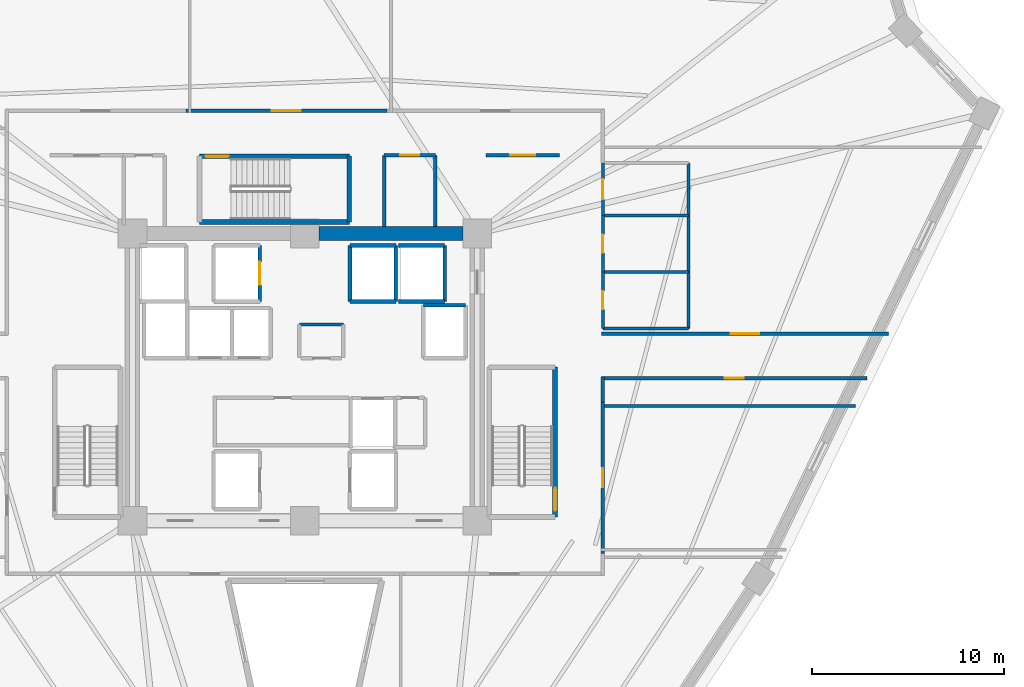
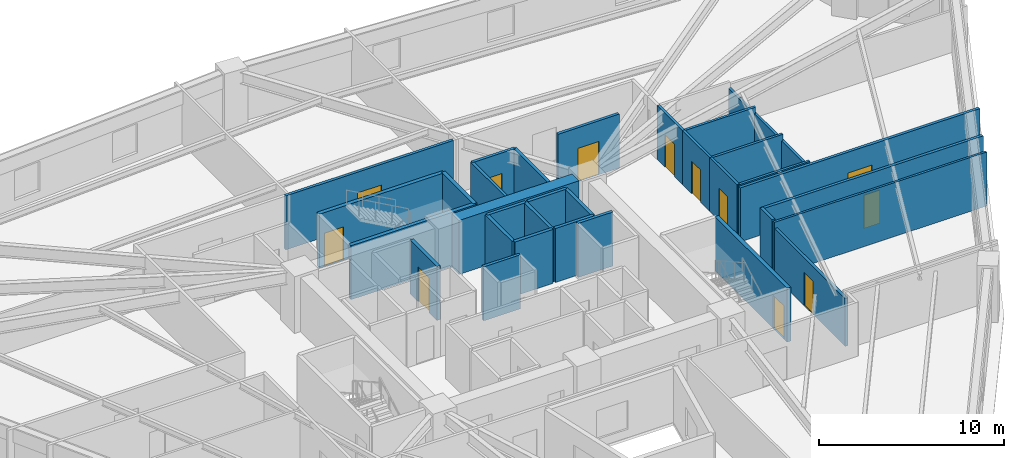
# One storey, part 6 of 8: 32 walls, 12 doors, 12 openings.
"""IFC4 building model written with IfcOpenShell, lengths in metres."""

import ifcopenshell
import ifcopenshell.guid

model = None  # the IFC model being written
_history = None  # IfcOwnerHistory: only IFC2X3 demands one
_inside = {}  # id of a spatial element -> (the spatial element, [elements in it])
_under = {}  # id of a project, library or spatial element -> (it, [spatial elements below it])
_declared = {}  # id of a project -> (the project, [libraries it declares])
_typed = {}  # id of a type object -> (the type object, [elements of that type])
_made_of = {}  # id of a material, layer set ... -> (it, [elements and type objects made of it])


def new_model(schema):
    """Start an empty IFC model of exactly this schema.

    Asked for "IFC4X3", IfcOpenShell would pick the latest addendum, in which some entities
    have other attributes; the version numbers below select the first issue.
    IFC2X3 requires an IfcOwnerHistory on every rooted entity: one is made here for all.
    """
    global model, _history
    if schema == "IFC4X3":
        model = ifcopenshell.file(schema_version=(4, 3, 0, 0))
    else:
        model = ifcopenshell.file(schema=schema)
    _inside.clear()
    _under.clear()
    _declared.clear()
    _typed.clear()
    _made_of.clear()
    _history = None
    if model.schema == "IFC2X3":
        org = make("IfcOrganization", Name="unknown")
        user = make(
            "IfcPersonAndOrganization",
            ThePerson=make("IfcPerson", FamilyName="unknown"),
            TheOrganization=org,
        )
        app = make(
            "IfcApplication",
            ApplicationDeveloper=org,
            Version="unknown",
            ApplicationFullName="unknown",
            ApplicationIdentifier="unknown",
        )
        _history = make(
            "IfcOwnerHistory",
            OwningUser=user,
            OwningApplication=app,
            ChangeAction="ADDED",
            CreationDate=0,
        )
    return model


def make(cls, **values):
    """One entity of the class cls with the attributes given. An attribute that is None is left unset."""
    return model.create_entity(
        cls, **{name: value for name, value in values.items() if value is not None}
    )


def rooted(cls, **values):
    """An entity with a GlobalId (a new one), such as an element, a storey or a relation."""
    return make(cls, GlobalId=ifcopenshell.guid.new(), OwnerHistory=_history, **values)


def si_unit(unit_type, name, prefix=None):
    """IfcSIUnit, for example si_unit("LENGTHUNIT", "METRE", prefix="MILLI")."""
    return make("IfcSIUnit", UnitType=unit_type, Prefix=prefix, Name=name)


def assignment(units):
    """IfcUnitAssignment: the units of a project."""
    return None if units is None else make("IfcUnitAssignment", Units=units)


def point(xyz):
    """IfcCartesianPoint."""
    return None if xyz is None else make("IfcCartesianPoint", Coordinates=xyz)


def direction(xyz):
    """IfcDirection."""
    return None if xyz is None else make("IfcDirection", DirectionRatios=xyz)


def frame(location, z_axis=None, x_axis=None):
    """IfcAxis2Placement3D, a coordinate frame: its origin and axes. An axis left out is left unset."""
    return make(
        "IfcAxis2Placement3D",
        Location=point(location),
        Axis=direction(z_axis),
        RefDirection=direction(x_axis),
    )


def frame_2d(location, x_axis=None):
    """IfcAxis2Placement2D, a coordinate frame in the plane: its origin and x axis."""
    return make(
        "IfcAxis2Placement2D", Location=point(location), RefDirection=direction(x_axis)
    )


def origin():
    """The frame at (0, 0, 0) with its axes left unset."""
    return frame((0.0, 0.0, 0.0))


def place(relative_to, where):
    """IfcLocalPlacement: puts the frame where relative to a parent placement (None: the world)."""
    return make(
        "IfcLocalPlacement", PlacementRelTo=relative_to, RelativePlacement=where
    )


def context(
    kind, dimensions, precision=None, world=None, true_north=None, identifier=None
):
    """IfcGeometricRepresentationContext, for example the 3D "Model" context."""
    return make(
        "IfcGeometricRepresentationContext",
        ContextIdentifier=identifier,
        ContextType=kind,
        CoordinateSpaceDimension=dimensions,
        Precision=precision,
        WorldCoordinateSystem=world,
        TrueNorth=true_north,
    )


def subcontext(parent, identifier, kind, view, scale=None):
    """IfcGeometricRepresentationSubContext, for example "Body" below "Model"."""
    return make(
        "IfcGeometricRepresentationSubContext",
        ContextIdentifier=identifier,
        ContextType=kind,
        ParentContext=parent,
        TargetScale=scale,
        TargetView=view,
    )


def project(units=None, contexts=None):
    """IfcProject with its units and contexts."""
    return rooted(
        "IfcProject",
        Name="project",
        RepresentationContexts=contexts,
        UnitsInContext=assignment(units),
    )


def spatial(cls, under=None, at=None, **own):
    """A site, building, storey or space (cls), placed at a placement, below another one or the project."""
    s = rooted(cls, ObjectPlacement=at, **own)
    if under is not None:
        _under.setdefault(under.id(), (under, []))[1].append(s)
    return s


def profile(cls, at=None, kind="AREA", **sizes):
    """A parametric profile (cls). Its sizes go by their IFC names, for example OverallWidth=200.0."""
    return make(cls, ProfileType=kind, Position=at, **sizes)


def rectangle(**sizes):
    """IfcRectangleProfileDef."""
    return profile("IfcRectangleProfileDef", **sizes)


def extrude(swept, where, along, depth):
    """IfcExtrudedAreaSolid: the profile swept, set in the frame where, extruded along a direction by depth."""
    return make(
        "IfcExtrudedAreaSolid",
        SweptArea=swept,
        Position=where,
        ExtrudedDirection=direction(along),
        Depth=depth,
    )


def shape(context_of_items, identifier, shape_type, items):
    """IfcShapeRepresentation: the items that make up one representation, for example the "Body"."""
    return make(
        "IfcShapeRepresentation",
        ContextOfItems=context_of_items,
        RepresentationIdentifier=identifier,
        RepresentationType=shape_type,
        Items=items,
    )


def source(mapping_origin, context_of_items, identifier, shape_type, items):
    """IfcRepresentationMap: a shape defined once, which mapped items show again and again."""
    return make(
        "IfcRepresentationMap",
        MappingOrigin=mapping_origin,
        MappedRepresentation=shape(context_of_items, identifier, shape_type, items),
    )


def transform(
    local_origin,
    x_axis=None,
    y_axis=None,
    z_axis=None,
    scale=None,
    scale2=None,
    scale3=None,
    uniform=True,
):
    """IfcCartesianTransformationOperator3D, or its non-uniform kind. x_axis, y_axis, z_axis: its Axis1, 2, 3."""
    if uniform:
        return make(
            "IfcCartesianTransformationOperator3D",
            Axis1=direction(x_axis),
            Axis2=direction(y_axis),
            LocalOrigin=point(local_origin),
            Scale=scale,
            Axis3=direction(z_axis),
        )
    return make(
        "IfcCartesianTransformationOperator3DnonUniform",
        Axis1=direction(x_axis),
        Axis2=direction(y_axis),
        LocalOrigin=point(local_origin),
        Scale=scale,
        Axis3=direction(z_axis),
        Scale2=scale2,
        Scale3=scale3,
    )


def mapped(mapping_source, mapping_target):
    """IfcMappedItem: shows the shape of a source again, moved by a transform."""
    return make(
        "IfcMappedItem", MappingSource=mapping_source, MappingTarget=mapping_target
    )


def material(Name=None, Category=None):
    """IfcMaterial."""
    return make("IfcMaterial", Name=Name, Category=Category)


def layer(
    of_material, thickness, ventilated=None, Name=None, Category=None, Priority=None
):
    """IfcMaterialLayer: one layer of a wall or slab, of a material (None: an air gap)."""
    return make(
        "IfcMaterialLayer",
        Material=of_material,
        LayerThickness=thickness,
        IsVentilated=ventilated,
        Name=Name,
        Category=Category,
        Priority=Priority,
    )


def layer_set(layers, Name=None):
    """IfcMaterialLayerSet."""
    return make("IfcMaterialLayerSet", MaterialLayers=layers, LayerSetName=Name)


def made_of(thing, what):
    """Note that an element or type object is made of a material, layer set ...; save() writes the relation."""
    if what is not None:
        _made_of.setdefault(what.id(), (what, []))[1].append(thing)
    return thing


def type_object(cls, material=None, **own):
    """A type object (cls), such as IfcWallType, which elements share."""
    return made_of(rooted(cls, **own), material)


def element(
    cls,
    number,
    at=None,
    inside=None,
    cuts=None,
    type_object=None,
    material=None,
    context=None,
    identifier="Body",
    shape_type=None,
    held_by="IfcProductDefinitionShape",
    body=None,
    shapes=None,
    **own,
):
    """One element of the class cls, such as IfcWall. Its Tag is "e" and its number.

    at: its placement. inside: the storey or other place that contains it. cuts: it is an
    opening in that element (IfcRelVoidsElement). A single representation is given by context,
    identifier, shape_type and body (its items); several are given by shapes. held_by: the class
    of the entity that holds the representations. save() writes the other relations.
    """
    e = rooted(cls, Tag="e%d" % number, ObjectPlacement=at, **own)
    if body is not None:
        shapes = [shape(context, identifier, shape_type, body)]
    if shapes is not None:
        e.Representation = make(held_by, Representations=shapes)
    if inside is not None:
        _inside.setdefault(inside.id(), (inside, []))[1].append(e)
    if cuts is not None:
        rooted(
            "IfcRelVoidsElement", RelatingBuildingElement=cuts, RelatedOpeningElement=e
        )
    if type_object is not None:
        _typed.setdefault(type_object.id(), (type_object, []))[1].append(e)
    return made_of(e, material)


def fill(opening, filler):
    """IfcRelFillsElement: the door or window that sits in an opening."""
    return rooted(
        "IfcRelFillsElement",
        RelatingOpeningElement=opening,
        RelatedBuildingElement=filler,
    )


def aggregate(whole, parts):
    """IfcRelAggregates: a whole, such as a stair, and the parts it consists of."""
    return rooted("IfcRelAggregates", RelatingObject=whole, RelatedObjects=parts)


def save(model, path):
    """Write the relations noted so far, then the file.

    IfcRelAggregates (storeys below a building ...), IfcRelContainedInSpatialStructure (elements
    in a storey), IfcRelDefinesByType, IfcRelAssociatesMaterial and IfcRelDeclares: one each for
    every whole, place, type object, material and project.
    """
    for whole, parts in _under.values():
        aggregate(whole, parts)
    for where, things in _inside.values():
        rooted(
            "IfcRelContainedInSpatialStructure",
            RelatedElements=things,
            RelatingStructure=where,
        )
    for kind, things in _typed.values():
        rooted("IfcRelDefinesByType", RelatedObjects=things, RelatingType=kind)
    for what, things in _made_of.values():
        rooted("IfcRelAssociatesMaterial", RelatedObjects=things, RelatingMaterial=what)
    for by, libraries in _declared.values():
        rooted("IfcRelDeclares", RelatingContext=by, RelatedDefinitions=libraries)
    model.write(path)


model = new_model("IFC4")

# Units and contexts
model_context = context("Model", 3, precision=1e-05, world=origin(), true_north=direction((0.0, 1.0)))
body_context = subcontext(model_context, "Body", "Model", "MODEL_VIEW")
ifc_project = project(units=[si_unit("LENGTHUNIT", "METRE"), si_unit("AREAUNIT", "SQUARE_METRE"), si_unit("VOLUMEUNIT", "CUBIC_METRE"), si_unit("PLANEANGLEUNIT", "RADIAN"), si_unit("MASSUNIT", "GRAM", prefix="KILO")], contexts=[model_context])

# Site, building, storey
site_placement = place(None, origin())
site = spatial("IfcSite", under=ifc_project, at=site_placement, CompositionType="ELEMENT")
building_placement = place(site_placement, origin())
building = spatial("IfcBuilding", under=site, at=building_placement, Name="Liaohun Quay Tower", CompositionType="ELEMENT")
storey_placement = place(building_placement, frame((0.0, 0.0, 147.75)))
storey = spatial("IfcBuildingStorey", under=building, at=storey_placement, Name="L38", CompositionType="ELEMENT", Elevation=147.75)

# Wall
ifc_material_1 = material(Name="Concrete C60", Category="concrete")
ifc_layer_1 = layer(ifc_material_1, 0.75, Name="Concrete C60", Category="concrete")
ifc_layer_set_1 = layer_set([ifc_layer_1], Name="Concrete C60")
wall_type_1 = type_object("IfcWallType", Name="WAL-COR-Z2", PredefinedType="SHEAR", material=ifc_layer_set_1)
wall_1_placement = place(storey_placement, frame((60.75, 61.5, 0.0), z_axis=(0.0, 0.0, 1.0), x_axis=(1.0, 0.0, 0.0)))
element("IfcWall", 1, at=wall_1_placement, inside=storey, type_object=wall_type_1, Name="L38 Central Core Shear Wall N-E", PredefinedType="SHEAR", context=body_context, shape_type="SweptSolid", body=[
    extrude(rectangle(XDim=7.5, YDim=0.75, at=frame_2d((3.75, 0.0))), origin(), (0.0, 0.0, 1.0), 3.570068359375),
])

# Wall, opening, door
ifc_material_2 = material(Name="Autoclaved aerated concrete blockwork", Category="masonry")
ifc_layer_2 = layer(ifc_material_2, 0.179931640625, Name="Autoclaved aerated concrete blockwork", Category="masonry")
ifc_layer_set_2 = layer_set([ifc_layer_2], Name="Autoclaved aerated concrete blockwork")
wall_type_2 = type_object("IfcWallType", Name="WAL-PRT-COR", PredefinedType="PARTITIONING", material=ifc_layer_set_2)
wall_2_placement = place(storey_placement, frame((64.139892578125, 65.580078125, 0.0), z_axis=(0.0, 0.0, 1.0), x_axis=(1.0, 0.0, 0.0)))
wall_2 = element("IfcWall", 2, at=wall_2_placement, inside=storey, type_object=wall_type_2, Name="L38 Interior Partition Wall 008", PredefinedType="PARTITIONING", context=body_context, shape_type="SweptSolid", body=[
    extrude(rectangle(XDim=2.670166015625, YDim=0.179931640625, at=frame_2d((1.3349609375, 0.0))), origin(), (0.0, 0.0, 1.0), 3.570068359375),
])
shared_shape_1 = source(origin(), body_context, "Body", "SweptSolid", [
    extrude(rectangle(XDim=1.0, YDim=2.199951171875, at=frame_2d((0.5, 1.10009765625))), frame((0.0, 0.099853515625, 0.0), z_axis=(0.0, -1.0, 0.0), x_axis=(1.0, 0.0, 0.0)), (0.0, 0.0, 1.0), 0.199951171875),
])
opening_1_placement = place(wall_2_placement, frame((0.8349609375, 0.0, 0.0)))
opening_1 = element("IfcOpeningElement", 3, at=opening_1_placement, cuts=wall_2, Name="Opening OD1", PredefinedType="OPENING", context=body_context, shape_type="MappedRepresentation", body=[
    mapped(shared_shape_1, transform((0.0, 0.0, 0.0), x_axis=(1.0, 0.0, 0.0), y_axis=(0.0, 1.0, 0.0), z_axis=(0.0, 0.0, 1.0), scale=1.0)),
])
ifc_material_3 = material(Name="Solid-core oak veneer timber leaf in steel frame", Category="steel")
door_type_1 = type_object("IfcDoorType", Name="DOR-OFF-1000", OperationType="NOTDEFINED", PredefinedType="DOOR", material=ifc_material_3)
shared_shape_2 = source(origin(), body_context, "Body", "SweptSolid", [
    extrude(rectangle(XDim=1.0, YDim=2.199951171875, at=frame_2d((0.5, 1.10009765625))), frame((0.0, 0.02490234375, 0.0), z_axis=(0.0, -1.0, 0.0), x_axis=(1.0, 0.0, 0.0)), (0.0, 0.0, 1.0), 0.050048828125),
])
door_1_placement = place(opening_1_placement, origin())
door_1 = element("IfcDoor", 4, at=door_1_placement, inside=storey, type_object=door_type_1, Name="L38 North-East Server Closet Door", OperationType="SINGLE_SWING_RIGHT", OverallHeight=2.199951171875, OverallWidth=1.0, PredefinedType="DOOR", context=body_context, shape_type="MappedRepresentation", body=[
    mapped(shared_shape_2, transform((0.0, 0.0, 0.0), x_axis=(1.0, 0.0, 0.0), y_axis=(0.0, 1.0, 0.0), z_axis=(0.0, 0.0, 1.0), scale=1.0)),
])
fill(opening_1, door_1)

wall_3_placement = place(storey_placement, frame((69.4599609375, 65.580078125, 0.0), z_axis=(0.0, 0.0, 1.0), x_axis=(1.0, 0.0, 0.0)))
wall_3 = element("IfcWall", 5, at=wall_3_placement, inside=storey, type_object=wall_type_2, Name="L38 Interior Partition Wall 010", PredefinedType="PARTITIONING", context=body_context, shape_type="SweptSolid", body=[
    extrude(rectangle(XDim=3.840087890625, YDim=0.179931640625, at=frame_2d((1.919921875, 0.0))), origin(), (0.0, 0.0, 1.0), 3.570068359375),
])
shared_shape_3 = source(origin(), body_context, "Body", "SweptSolid", [
    extrude(rectangle(XDim=1.300048828125, YDim=2.199951171875, at=frame_2d((0.64990234375, 1.10009765625))), frame((0.0, 0.099853515625, 0.0), z_axis=(0.0, -1.0, 0.0), x_axis=(1.0, 0.0, 0.0)), (0.0, 0.0, 1.0), 0.199951171875),
])
opening_2_placement = place(wall_3_placement, frame((1.27001953125, 0.0, 0.0)))
opening_2 = element("IfcOpeningElement", 6, at=opening_2_placement, cuts=wall_3, Name="Opening FD1", PredefinedType="OPENING", context=body_context, shape_type="MappedRepresentation", body=[
    mapped(shared_shape_3, transform((0.0, 0.0, 0.0), x_axis=(1.0, 0.0, 0.0), y_axis=(0.0, 1.0, 0.0), z_axis=(0.0, 0.0, 1.0), scale=1.0)),
])
ifc_material_4 = material(Name="Galvanised steel smokeproof fire door", Category="steel")
door_type_2 = type_object("IfcDoorType", Name="DOR-FFL-1300", OperationType="NOTDEFINED", PredefinedType="DOOR", material=ifc_material_4)
shared_shape_4 = source(origin(), body_context, "Body", "SweptSolid", [
    extrude(rectangle(XDim=1.300048828125, YDim=2.199951171875, at=frame_2d((0.64990234375, 1.10009765625))), frame((0.0, 0.02490234375, 0.0), z_axis=(0.0, -1.0, 0.0), x_axis=(1.0, 0.0, 0.0)), (0.0, 0.0, 1.0), 0.050048828125),
])
door_2_placement = place(opening_2_placement, origin())
door_2 = element("IfcDoor", 7, at=door_2_placement, inside=storey, type_object=door_type_2, Name="L38 East Core Vestibule Door", OperationType="SINGLE_SWING_RIGHT", OverallHeight=2.199951171875, OverallWidth=1.300048828125, PredefinedType="DOOR", context=body_context, shape_type="MappedRepresentation", body=[
    mapped(shared_shape_4, transform((0.0, 0.0, 0.0), x_axis=(1.0, 0.0, 0.0), y_axis=(0.0, 1.0, 0.0), z_axis=(0.0, 0.0, 1.0), scale=1.0)),
])
fill(opening_2, door_2)

wall_4_placement = place(storey_placement, frame((75.489990234375, 56.260009765625, 0.0), z_axis=(0.0, 0.0, 1.0), x_axis=(1.0, 0.0, 0.0)))
wall_4 = element("IfcWall", 8, at=wall_4_placement, inside=storey, type_object=wall_type_2, Name="L38 Interior Partition Wall 011", PredefinedType="PARTITIONING", context=body_context, shape_type="SweptSolid", body=[
    extrude(rectangle(XDim=14.98095703125, YDim=0.179931640625, at=frame_2d((7.490478515625, 0.0))), origin(), (0.0, 0.0, 1.0), 3.570068359375),
])
shared_shape_5 = source(origin(), body_context, "Body", "SweptSolid", [
    extrude(rectangle(XDim=1.5, YDim=2.199951171875, at=frame_2d((0.75, 1.10009765625))), frame((0.0, 0.099853515625, 0.0), z_axis=(0.0, -1.0, 0.0), x_axis=(1.0, 0.0, 0.0)), (0.0, 0.0, 1.0), 0.199951171875),
])
opening_3_placement = place(wall_4_placement, frame((6.740966796875, 0.0, 0.0)))
opening_3 = element("IfcOpeningElement", 9, at=opening_3_placement, cuts=wall_4, Name="Opening OD2", PredefinedType="OPENING", context=body_context, shape_type="MappedRepresentation", body=[
    mapped(shared_shape_5, transform((0.0, 0.0, 0.0), x_axis=(1.0, 0.0, 0.0), y_axis=(0.0, 1.0, 0.0), z_axis=(0.0, 0.0, 1.0), scale=1.0)),
])
ifc_material_5 = material(Name="Acoustic oak veneer double door")
door_type_3 = type_object("IfcDoorType", Name="DOR-OFF-1500", OperationType="DOUBLE_DOOR_SINGLE_SWING", PredefinedType="DOOR", material=ifc_material_5)
shared_shape_6 = source(origin(), body_context, "Body", "SweptSolid", [
    extrude(rectangle(XDim=1.5, YDim=2.199951171875, at=frame_2d((0.75, 1.10009765625))), frame((0.0, 0.02490234375, 0.0), z_axis=(0.0, -1.0, 0.0), x_axis=(1.0, 0.0, 0.0)), (0.0, 0.0, 1.0), 0.050048828125),
])
door_3_placement = place(opening_3_placement, origin())
door_3 = element("IfcDoor", 10, at=door_3_placement, inside=storey, type_object=door_type_3, Name="L38 Technical Reference Library 01 Door", OperationType="DOUBLE_DOOR_SINGLE_SWING", OverallHeight=2.199951171875, OverallWidth=1.5, PredefinedType="DOOR", context=body_context, shape_type="MappedRepresentation", body=[
    mapped(shared_shape_6, transform((0.0, 0.0, 0.0), x_axis=(1.0, 0.0, 0.0), y_axis=(0.0, 1.0, 0.0), z_axis=(0.0, 0.0, 1.0), scale=1.0)),
])
fill(opening_3, door_3)

wall_5_placement = place(storey_placement, frame((53.784912109375, 67.909912109375, 0.0), z_axis=(0.0, 0.0, 1.0), x_axis=(1.0, 0.0, 0.0)))
wall_5 = element("IfcWall", 11, at=wall_5_placement, inside=storey, type_object=wall_type_2, Name="L38 Interior Partition Wall 013", PredefinedType="PARTITIONING", context=body_context, shape_type="SweptSolid", body=[
    extrude(rectangle(XDim=10.5, YDim=0.179931640625, at=frame_2d((5.25, 0.0))), origin(), (0.0, 0.0, 1.0), 3.570068359375),
])
opening_4_placement = place(wall_5_placement, frame((4.5, 0.0, 0.0)))
opening_4 = element("IfcOpeningElement", 12, at=opening_4_placement, cuts=wall_5, Name="Opening OD2", PredefinedType="OPENING", context=body_context, shape_type="MappedRepresentation", body=[
    mapped(shared_shape_5, transform((0.0, 0.0, 0.0), x_axis=(1.0, 0.0, 0.0), y_axis=(0.0, 1.0, 0.0), z_axis=(0.0, 0.0, 1.0), scale=1.0)),
])
door_4_placement = place(opening_4_placement, origin())
door_4 = element("IfcDoor", 13, at=door_4_placement, inside=storey, type_object=door_type_3, Name="L38 Technical Reference Library 03 Door", OperationType="DOUBLE_DOOR_SINGLE_SWING", OverallHeight=2.199951171875, OverallWidth=1.5, PredefinedType="DOOR", context=body_context, shape_type="MappedRepresentation", body=[
    mapped(shared_shape_6, transform((0.0, 0.0, 0.0), x_axis=(1.0, 0.0, 0.0), y_axis=(0.0, 1.0, 0.0), z_axis=(0.0, 0.0, 1.0), scale=1.0)),
])
fill(opening_4, door_4)

wall_6_placement = place(storey_placement, frame((75.56005859375, 52.715087890625, 0.0), z_axis=(0.0, 0.0, 1.0), x_axis=(0.0, -1.0, 0.0)))
wall_6 = element("IfcWall", 14, at=wall_6_placement, inside=storey, type_object=wall_type_2, Name="L38 Interior Partition Wall 020", PredefinedType="PARTITIONING", context=body_context, shape_type="SweptSolid", body=[
    extrude(rectangle(XDim=7.93017578125, YDim=0.179931640625, at=frame_2d((3.965087890625, 0.0))), origin(), (0.0, 0.0, 1.0), 3.155029296875),
])
opening_5_placement = place(wall_6_placement, frame((3.465087890625, 0.0, 0.0)))
opening_5 = element("IfcOpeningElement", 15, at=opening_5_placement, cuts=wall_6, Name="Opening OD1", PredefinedType="OPENING", context=body_context, shape_type="MappedRepresentation", body=[
    mapped(shared_shape_1, transform((0.0, 0.0, 0.0), x_axis=(1.0, 0.0, 0.0), y_axis=(0.0, 1.0, 0.0), z_axis=(0.0, 0.0, 1.0), scale=1.0)),
])
door_5_placement = place(opening_5_placement, origin())
door_5 = element("IfcDoor", 16, at=door_5_placement, inside=storey, type_object=door_type_1, Name="L38 Open-Plan Office Workplace 10 Door", OperationType="SINGLE_SWING_RIGHT", OverallHeight=2.199951171875, OverallWidth=1.0, PredefinedType="DOOR", context=body_context, shape_type="MappedRepresentation", body=[
    mapped(shared_shape_2, transform((0.0, 0.0, 0.0), x_axis=(1.0, 0.0, 0.0), y_axis=(0.0, 1.0, 0.0), z_axis=(0.0, 0.0, 1.0), scale=1.0)),
])
fill(opening_5, door_5)

wall_7_placement = place(storey_placement, frame((89.343017578125, 53.93994140625, 0.0), z_axis=(0.0, 0.0, 1.0), x_axis=(-1.0, 0.0, 0.0)))
wall_7 = element("IfcWall", 17, at=wall_7_placement, inside=storey, type_object=wall_type_2, Name="L38 Interior Partition Wall 021", PredefinedType="PARTITIONING", context=body_context, shape_type="SweptSolid", body=[
    extrude(rectangle(XDim=13.85302734375, YDim=0.179931640625, at=frame_2d((6.926513671875, 0.0))), origin(), (0.0, 0.0, 1.0), 3.570068359375),
])
opening_6_placement = place(wall_7_placement, frame((6.427001953125, 0.0, 0.0)))
opening_6 = element("IfcOpeningElement", 18, at=opening_6_placement, cuts=wall_7, Name="Opening OD1", PredefinedType="OPENING", context=body_context, shape_type="MappedRepresentation", body=[
    mapped(shared_shape_1, transform((0.0, 0.0, 0.0), x_axis=(1.0, 0.0, 0.0), y_axis=(0.0, 1.0, 0.0), z_axis=(0.0, 0.0, 1.0), scale=1.0)),
])
door_6_placement = place(opening_6_placement, origin())
door_6 = element("IfcDoor", 19, at=door_6_placement, inside=storey, type_object=door_type_1, Name="L38 Executive Partner Office 11 Door", OperationType="SINGLE_SWING_LEFT", OverallHeight=2.199951171875, OverallWidth=1.0, PredefinedType="DOOR", context=body_context, shape_type="MappedRepresentation", body=[
    mapped(shared_shape_2, transform((0.0, 0.0, 0.0), x_axis=(1.0, 0.0, 0.0), y_axis=(0.0, 1.0, 0.0), z_axis=(0.0, 0.0, 1.0), scale=1.0)),
])
fill(opening_6, door_6)

# Walls
wall_8_placement = place(storey_placement, frame((59.719970703125, 56.75, 0.0), z_axis=(0.0, 0.0, 1.0), x_axis=(1.0, 0.0, 0.0)))
element("IfcWall", 20, at=wall_8_placement, inside=storey, type_object=wall_type_2, Name="L38 Interior Partition Wall 024", PredefinedType="PARTITIONING", context=body_context, shape_type="SweptSolid", body=[
    extrude(rectangle(XDim=2.2900390625, YDim=0.179931640625, at=frame_2d((1.14501953125, 0.0))), origin(), (0.0, 0.0, 1.0), 3.570068359375),
])
for number, where, z_axis, x_axis, name in (
    (21, (64.139892578125, 61.875, 0.0), (0.0, 0.0, 1.0), (0.0, 1.0, 0.0), "L38 Interior Partition Wall 034"),
    (22, (66.81005859375, 61.875, 0.0), (0.0, 0.0, 1.0), (0.0, 1.0, 0.0), "L38 Interior Partition Wall 035"),
):
    element("IfcWall", number, at=place(storey_placement, frame(where, z_axis=z_axis, x_axis=x_axis)), inside=storey, type_object=wall_type_2, Name=name, PredefinedType="PARTITIONING", context=body_context, shape_type="SweptSolid", body=[
        extrude(rectangle(XDim=3.705078125, YDim=0.179931640625, at=frame_2d((1.8525390625, 0.0))), origin(), (0.0, 0.0, 1.0), 3.570068359375),
    ])
wall_9_placement = place(storey_placement, frame((75.56005859375, 54.010009765625, 0.0), z_axis=(0.0, 0.0, 1.0), x_axis=(0.0, -1.0, 0.0)))
element("IfcWall", 23, at=wall_9_placement, inside=storey, type_object=wall_type_2, Name="L38 Interior Partition Wall 043", PredefinedType="PARTITIONING", context=body_context, shape_type="SweptSolid", body=[
    extrude(rectangle(XDim=1.294921875, YDim=0.179931640625, at=frame_2d((0.6474609375, 0.0))), origin(), (0.0, 0.0, 1.0), 3.570068359375),
])
ifc_material_6 = material(Name="Gypsum board on twin steel studs", Category="steel")
ifc_layer_3 = layer(ifc_material_6, 0.139892578125, Name="Gypsum board on twin steel studs", Category="steel")
ifc_layer_set_3 = layer_set([ifc_layer_3], Name="Gypsum board on twin steel studs")
wall_type_3 = type_object("IfcWallType", Name="WAL-PRT-OFF", PredefinedType="PARTITIONING", material=ifc_layer_set_3)
wall_10_placement = place(storey_placement, frame((75.4599609375, 52.5, 0.0), z_axis=(0.0, 0.0, 1.0), x_axis=(1.0, 0.0, 0.0)))
element("IfcWall", 24, at=wall_10_placement, inside=storey, type_object=wall_type_3, Name="L38 Interior Partition Wall 049", PredefinedType="PARTITIONING", context=body_context, shape_type="SweptSolid", body=[
    extrude(rectangle(XDim=13.291015625, YDim=0.139892578125, at=frame_2d((6.6455078125, 0.0))), origin(), (0.0, 0.0, 1.0), 3.570068359375),
])

# Wall, opening, door
ifc_material_7 = material(Name="Moisture-resistant masonry blockwork", Category="masonry")
ifc_layer_4 = layer(ifc_material_7, 0.159912109375, Name="Moisture-resistant masonry blockwork", Category="masonry")
ifc_layer_set_4 = layer_set([ifc_layer_4], Name="Moisture-resistant masonry blockwork")
wall_type_4 = type_object("IfcWallType", Name="WAL-PRT-WET", PredefinedType="PARTITIONING", material=ifc_layer_set_4)
wall_11_placement = place(storey_placement, frame((75.56005859375, 56.5400390625, 0.0), z_axis=(0.0, 0.0, 1.0), x_axis=(0.0, 1.0, 0.0)))
wall_11 = element("IfcWall", 25, at=wall_11_placement, inside=storey, type_object=wall_type_4, Name="L38 Interior Partition Wall 004", PredefinedType="PARTITIONING", context=body_context, shape_type="SweptSolid", body=[
    extrude(rectangle(XDim=2.93994140625, YDim=0.159912109375, at=frame_2d((1.469970703125, 0.0))), origin(), (0.0, 0.0, 1.0), 3.570068359375),
])
shared_shape_7 = source(origin(), body_context, "Body", "SweptSolid", [
    extrude(rectangle(XDim=0.949951171875, YDim=2.14990234375, at=frame_2d((0.47509765625, 1.074951171875))), frame((0.0, 0.08984375, 0.0), z_axis=(0.0, -1.0, 0.0), x_axis=(1.0, 0.0, 0.0)), (0.0, 0.0, 1.0), 0.179931640625),
])
opening_7_placement = place(wall_11_placement, frame((0.9951171875, 0.0, 0.0)))
opening_7 = element("IfcOpeningElement", 26, at=opening_7_placement, cuts=wall_11, Name="Opening WD1", PredefinedType="OPENING", context=body_context, shape_type="MappedRepresentation", body=[
    mapped(shared_shape_7, transform((0.0, 0.0, 0.0), x_axis=(1.0, 0.0, 0.0), y_axis=(0.0, 1.0, 0.0), z_axis=(0.0, 0.0, 1.0), scale=1.0)),
])
ifc_material_8 = material(Name="Moisture-resistant laminate timber leaf", Category="wood")
door_type_4 = type_object("IfcDoorType", Name="DOR-WC-950", OperationType="NOTDEFINED", PredefinedType="DOOR", material=ifc_material_8)
shared_shape_8 = source(origin(), body_context, "Body", "SweptSolid", [
    extrude(rectangle(XDim=0.949951171875, YDim=2.14990234375, at=frame_2d((0.47509765625, 1.074951171875))), frame((0.0, 0.02490234375, 0.0), z_axis=(0.0, -1.0, 0.0), x_axis=(1.0, 0.0, 0.0)), (0.0, 0.0, 1.0), 0.050048828125),
])
door_7_placement = place(opening_7_placement, origin())
door_7 = element("IfcDoor", 27, at=door_7_placement, inside=storey, type_object=door_type_4, Name="L38 Male Restroom WC Door", OperationType="SINGLE_SWING_RIGHT", OverallHeight=2.14990234375, OverallWidth=0.949951171875, PredefinedType="DOOR", context=body_context, shape_type="MappedRepresentation", body=[
    mapped(shared_shape_8, transform((0.0, 0.0, 0.0), x_axis=(1.0, 0.0, 0.0), y_axis=(0.0, 1.0, 0.0), z_axis=(0.0, 0.0, 1.0), scale=1.0)),
])
fill(opening_7, door_7)

wall_12_placement = place(storey_placement, frame((75.56005859375, 59.47998046875, 0.0), z_axis=(0.0, 0.0, 1.0), x_axis=(0.0, 1.0, 0.0)))
wall_12 = element("IfcWall", 28, at=wall_12_placement, inside=storey, type_object=wall_type_4, Name="L38 Interior Partition Wall 005", PredefinedType="PARTITIONING", context=body_context, shape_type="SweptSolid", body=[
    extrude(rectangle(XDim=2.9599609375, YDim=0.159912109375, at=frame_2d((1.47998046875, 0.0))), origin(), (0.0, 0.0, 1.0), 3.570068359375),
])
opening_8_placement = place(wall_12_placement, frame((1.0048828125, 0.0, 0.0)))
opening_8 = element("IfcOpeningElement", 29, at=opening_8_placement, cuts=wall_12, Name="Opening WD1", PredefinedType="OPENING", context=body_context, shape_type="MappedRepresentation", body=[
    mapped(shared_shape_7, transform((0.0, 0.0, 0.0), x_axis=(1.0, 0.0, 0.0), y_axis=(0.0, 1.0, 0.0), z_axis=(0.0, 0.0, 1.0), scale=1.0)),
])
door_8_placement = place(opening_8_placement, origin())
door_8 = element("IfcDoor", 30, at=door_8_placement, inside=storey, type_object=door_type_4, Name="L38 Female Restroom WC Door", OperationType="SINGLE_SWING_LEFT", OverallHeight=2.14990234375, OverallWidth=0.949951171875, PredefinedType="DOOR", context=body_context, shape_type="MappedRepresentation", body=[
    mapped(shared_shape_8, transform((0.0, 0.0, 0.0), x_axis=(1.0, 0.0, 0.0), y_axis=(0.0, 1.0, 0.0), z_axis=(0.0, 0.0, 1.0), scale=1.0)),
])
fill(opening_8, door_8)

wall_13_placement = place(storey_placement, frame((75.56005859375, 62.43994140625, 0.0), z_axis=(0.0, 0.0, 1.0), x_axis=(0.0, 1.0, 0.0)))
wall_13 = element("IfcWall", 31, at=wall_13_placement, inside=storey, type_object=wall_type_4, Name="L38 Interior Partition Wall 006", PredefinedType="PARTITIONING", context=body_context, shape_type="SweptSolid", body=[
    extrude(rectangle(XDim=2.739990234375, YDim=0.159912109375, at=frame_2d((1.3701171875, 0.0))), origin(), (0.0, 0.0, 1.0), 3.570068359375),
])
shared_shape_9 = source(origin(), body_context, "Body", "SweptSolid", [
    extrude(rectangle(XDim=1.050048828125, YDim=2.14990234375, at=frame_2d((0.52490234375, 1.074951171875))), frame((0.0, 0.08984375, 0.0), z_axis=(0.0, -1.0, 0.0), x_axis=(1.0, 0.0, 0.0)), (0.0, 0.0, 1.0), 0.179931640625),
])
opening_9_placement = place(wall_13_placement, frame((0.844970703125, 0.0, 0.0)))
opening_9 = element("IfcOpeningElement", 32, at=opening_9_placement, cuts=wall_13, Name="Opening WD2", PredefinedType="OPENING", context=body_context, shape_type="MappedRepresentation", body=[
    mapped(shared_shape_9, transform((0.0, 0.0, 0.0), x_axis=(1.0, 0.0, 0.0), y_axis=(0.0, 1.0, 0.0), z_axis=(0.0, 0.0, 1.0), scale=1.0)),
])
ifc_material_9 = material(Name="Accessible outward-swinging laminate door")
door_type_5 = type_object("IfcDoorType", Name="DOR-AWC-1050", OperationType="NOTDEFINED", PredefinedType="DOOR", material=ifc_material_9)
shared_shape_10 = source(origin(), body_context, "Body", "SweptSolid", [
    extrude(rectangle(XDim=1.050048828125, YDim=2.14990234375, at=frame_2d((0.52490234375, 1.074951171875))), frame((0.0, 0.02490234375, 0.0), z_axis=(0.0, -1.0, 0.0), x_axis=(1.0, 0.0, 0.0)), (0.0, 0.0, 1.0), 0.050048828125),
])
door_9_placement = place(opening_9_placement, origin())
door_9 = element("IfcDoor", 33, at=door_9_placement, inside=storey, type_object=door_type_5, Name="L38 Accessible WC Door", OperationType="SINGLE_SWING_RIGHT", OverallHeight=2.14990234375, OverallWidth=1.050048828125, PredefinedType="DOOR", context=body_context, shape_type="MappedRepresentation", body=[
    mapped(shared_shape_10, transform((0.0, 0.0, 0.0), x_axis=(1.0, 0.0, 0.0), y_axis=(0.0, 1.0, 0.0), z_axis=(0.0, 0.0, 1.0), scale=1.0)),
])
fill(opening_9, door_9)

# Walls
wall_14_placement = place(storey_placement, frame((80.02001953125, 56.5400390625, 0.0), z_axis=(0.0, 0.0, 1.0), x_axis=(0.0, 1.0, 0.0)))
element("IfcWall", 34, at=wall_14_placement, inside=storey, type_object=wall_type_4, Name="L38 Interior Partition Wall 027", PredefinedType="PARTITIONING", context=body_context, shape_type="SweptSolid", body=[
    extrude(rectangle(XDim=8.639892578125, YDim=0.159912109375, at=frame_2d((4.31982421875, 0.0))), origin(), (0.0, 0.0, 1.0), 3.155029296875),
])
for number, where, z_axis, x_axis, name in (
    (35, (75.56005859375, 56.5400390625, 0.0), (0.0, 0.0, 1.0), (1.0, 0.0, 0.0), "L38 Interior Partition Wall 028"),
    (36, (75.56005859375, 59.47998046875, 0.0), (0.0, 0.0, 1.0), (1.0, 0.0, 0.0), "L38 Interior Partition Wall 029"),
    (37, (75.56005859375, 62.43994140625, 0.0), (0.0, 0.0, 1.0), (1.0, 0.0, 0.0), "L38 Interior Partition Wall 030"),
):
    element("IfcWall", number, at=place(storey_placement, frame(where, z_axis=z_axis, x_axis=x_axis)), inside=storey, type_object=wall_type_4, Name=name, PredefinedType="PARTITIONING", context=body_context, shape_type="SweptSolid", body=[
        extrude(rectangle(XDim=4.4599609375, YDim=0.159912109375, at=frame_2d((2.22998046875, 0.0))), origin(), (0.0, 0.0, 1.0), 3.570068359375),
    ])

# Wall, opening, door
ifc_material_10 = material(Name="Concrete C50", Category="concrete")
ifc_layer_5 = layer(ifc_material_10, 0.239990234375, Name="Concrete C50", Category="concrete")
ifc_layer_set_5 = layer_set([ifc_layer_5], Name="Concrete C50")
wall_type_5 = type_object("IfcWallType", Name="WAL-SHF-200", PredefinedType="SOLIDWALL", material=ifc_layer_set_5)
wall_15_placement = place(storey_placement, frame((73.06005859375, 46.699951171875, 0.0), z_axis=(0.0, 0.0, 1.0), x_axis=(0.0, 1.0, 0.0)))
wall_15 = element("IfcWall", 38, at=wall_15_placement, inside=storey, type_object=wall_type_5, Name="L38 Stairwell ST-2 Structural Core Wall E", PredefinedType="SOLIDWALL", context=body_context, shape_type="SweptSolid", body=[
    extrude(rectangle(XDim=7.820068359375, YDim=0.239990234375, at=frame_2d((3.91015625, 0.0))), origin(), (0.0, 0.0, 1.0), 3.570068359375),
])
shared_shape_11 = source(origin(), body_context, "Body", "SweptSolid", [
    extrude(rectangle(XDim=1.199951171875, YDim=2.199951171875, at=frame_2d((0.60009765625, 1.10009765625))), frame((0.0, 0.1298828125, 0.0), z_axis=(0.0, -1.0, 0.0), x_axis=(1.0, 0.0, 0.0)), (0.0, 0.0, 1.0), 0.260009765625),
])
opening_10_placement = place(wall_15_placement, frame((0.320068359375, 0.0, 0.0)))
opening_10 = element("IfcOpeningElement", 39, at=opening_10_placement, cuts=wall_15, Name="Opening SD1", PredefinedType="OPENING", context=body_context, shape_type="MappedRepresentation", body=[
    mapped(shared_shape_11, transform((0.0, 0.0, 0.0), x_axis=(1.0, 0.0, 0.0), y_axis=(0.0, 1.0, 0.0), z_axis=(0.0, 0.0, 1.0), scale=1.0)),
])
ifc_material_11 = material(Name="Galvanised steel fire door", Category="steel")
door_type_6 = type_object("IfcDoorType", Name="DOR-STR-1200", OperationType="NOTDEFINED", PredefinedType="DOOR", material=ifc_material_11)
shared_shape_12 = source(origin(), body_context, "Body", "SweptSolid", [
    extrude(rectangle(XDim=1.199951171875, YDim=2.199951171875, at=frame_2d((0.60009765625, 1.10009765625))), frame((0.0, 0.02490234375, 0.0), z_axis=(0.0, -1.0, 0.0), x_axis=(1.0, 0.0, 0.0)), (0.0, 0.0, 1.0), 0.050048828125),
])
door_10_placement = place(opening_10_placement, origin())
door_10 = element("IfcDoor", 40, at=door_10_placement, inside=storey, type_object=door_type_6, Name="L38 Protected Stair ST-2 Fire Door", OperationType="SINGLE_SWING_RIGHT", OverallHeight=2.199951171875, OverallWidth=1.199951171875, PredefinedType="DOOR", context=body_context, shape_type="MappedRepresentation", body=[
    mapped(shared_shape_12, transform((0.0, 0.0, 0.0), x_axis=(1.0, 0.0, 0.0), y_axis=(0.0, 1.0, 0.0), z_axis=(0.0, 0.0, 1.0), scale=1.0)),
])
fill(opening_10, door_10)

# Walls
wall_16_placement = place(storey_placement, frame((54.5, 62.10009765625, 0.0), z_axis=(0.0, 0.0, 1.0), x_axis=(1.0, 0.0, 0.0)))
element("IfcWall", 41, at=wall_16_placement, inside=storey, type_object=wall_type_5, Name="L38 Stairwell ST-3 Structural Core Wall S", PredefinedType="SOLIDWALL", context=body_context, shape_type="SweptSolid", body=[
    extrude(rectangle(XDim=7.820068359375, YDim=0.239990234375, at=frame_2d((3.91015625, 0.0))), origin(), (0.0, 0.0, 1.0), 3.570068359375),
])
wall_17_placement = place(storey_placement, frame((62.320068359375, 62.10009765625, 0.0), z_axis=(0.0, 0.0, 1.0), x_axis=(0.0, 1.0, 0.0)))
element("IfcWall", 42, at=wall_17_placement, inside=storey, type_object=wall_type_5, Name="L38 Stairwell ST-3 Structural Core Wall E", PredefinedType="SOLIDWALL", context=body_context, shape_type="SweptSolid", body=[
    extrude(rectangle(XDim=3.43994140625, YDim=0.239990234375, at=frame_2d((1.719970703125, 0.0))), origin(), (0.0, 0.0, 1.0), 3.570068359375),
])

# Wall, opening, door
wall_18_placement = place(storey_placement, frame((62.320068359375, 65.5400390625, 0.0), z_axis=(0.0, 0.0, 1.0), x_axis=(-1.0, 0.0, 0.0)))
wall_18 = element("IfcWall", 43, at=wall_18_placement, inside=storey, type_object=wall_type_5, Name="L38 Stairwell ST-3 Structural Core Wall N", PredefinedType="SOLIDWALL", context=body_context, shape_type="SweptSolid", body=[
    extrude(rectangle(XDim=7.820068359375, YDim=0.239990234375, at=frame_2d((3.91015625, 0.0))), origin(), (0.0, 0.0, 1.0), 3.570068359375),
])
opening_11_placement = place(wall_18_placement, frame((6.300048828125, 0.0, 0.0)))
opening_11 = element("IfcOpeningElement", 44, at=opening_11_placement, cuts=wall_18, Name="Opening SD1", PredefinedType="OPENING", context=body_context, shape_type="MappedRepresentation", body=[
    mapped(shared_shape_11, transform((0.0, 0.0, 0.0), x_axis=(1.0, 0.0, 0.0), y_axis=(0.0, 1.0, 0.0), z_axis=(0.0, 0.0, 1.0), scale=1.0)),
])
door_11_placement = place(opening_11_placement, origin())
door_11 = element("IfcDoor", 45, at=door_11_placement, inside=storey, type_object=door_type_6, Name="L38 Protected Stair ST-3 Fire Door", OperationType="SINGLE_SWING_RIGHT", OverallHeight=2.199951171875, OverallWidth=1.199951171875, PredefinedType="DOOR", context=body_context, shape_type="MappedRepresentation", body=[
    mapped(shared_shape_12, transform((0.0, 0.0, 0.0), x_axis=(1.0, 0.0, 0.0), y_axis=(0.0, 1.0, 0.0), z_axis=(0.0, 0.0, 1.0), scale=1.0)),
])
fill(opening_11, door_11)

wall_19_placement = place(storey_placement, frame((57.64990234375, 57.949951171875, 0.0), z_axis=(0.0, 0.0, 1.0), x_axis=(0.0, 1.0, 0.0)))
wall_19 = element("IfcWall", 46, at=wall_19_placement, inside=storey, type_object=wall_type_5, Name="L38 Lift FF-03 Hoistway Wall E", PredefinedType="SOLIDWALL", context=body_context, shape_type="SweptSolid", body=[
    extrude(rectangle(XDim=2.929931640625, YDim=0.199951171875, at=frame_2d((1.46484375, 0.0))), origin(), (0.0, 0.0, 1.0), 3.570068359375),
])
shared_shape_13 = source(origin(), body_context, "Body", "SweptSolid", [
    extrude(rectangle(XDim=1.199951171875, YDim=2.300048828125, at=frame_2d((0.60009765625, 1.14990234375))), frame((0.0, 0.10986328125, 0.0), z_axis=(0.0, -1.0, 0.0), x_axis=(1.0, 0.0, 0.0)), (0.0, 0.0, 1.0), 0.219970703125),
])
opening_12_placement = place(wall_19_placement, frame((0.864990234375, 0.0, 0.0)))
opening_12 = element("IfcOpeningElement", 47, at=opening_12_placement, cuts=wall_19, Name="Opening LD2", PredefinedType="OPENING", context=body_context, shape_type="MappedRepresentation", body=[
    mapped(shared_shape_13, transform((0.0, 0.0, 0.0), x_axis=(1.0, 0.0, 0.0), y_axis=(0.0, 1.0, 0.0), z_axis=(0.0, 0.0, 1.0), scale=1.0)),
])
ifc_material_12 = material(Name="Brushed stainless steel stretcher landing door", Category="steel")
door_type_7 = type_object("IfcDoorType", Name="DOR-LFT-1200", OperationType="SLIDING_TO_LEFT", PredefinedType="DOOR", material=ifc_material_12)
shared_shape_14 = source(origin(), body_context, "Body", "SweptSolid", [
    extrude(rectangle(XDim=1.199951171875, YDim=2.300048828125, at=frame_2d((0.60009765625, 1.14990234375))), frame((0.0, 0.02490234375, 0.0), z_axis=(0.0, -1.0, 0.0), x_axis=(1.0, 0.0, 0.0)), (0.0, 0.0, 1.0), 0.050048828125),
])
door_12_placement = place(opening_12_placement, origin())
door_12 = element("IfcDoor", 48, at=door_12_placement, inside=storey, type_object=door_type_7, Name="L38 Lift FF-03 Sliding Landing Door", OperationType="SLIDING_TO_LEFT", OverallHeight=2.300048828125, OverallWidth=1.199951171875, PredefinedType="DOOR", context=body_context, shape_type="MappedRepresentation", body=[
    mapped(shared_shape_14, transform((0.0, 0.0, 0.0), x_axis=(1.0, 0.0, 0.0), y_axis=(0.0, 1.0, 0.0), z_axis=(0.0, 0.0, 1.0), scale=1.0)),
])
fill(opening_12, door_12)

# Walls
wall_20_placement = place(storey_placement, frame((62.35009765625, 57.949951171875, 0.0), z_axis=(0.0, 0.0, 1.0), x_axis=(1.0, 0.0, 0.0)))
element("IfcWall", 49, at=wall_20_placement, inside=storey, type_object=wall_type_5, Name="L38 Lift OB-01 Hoistway Wall S", PredefinedType="SOLIDWALL", context=body_context, shape_type="SweptSolid", body=[
    extrude(rectangle(XDim=2.39990234375, YDim=0.199951171875, at=frame_2d((1.199951171875, 0.0))), origin(), (0.0, 0.0, 1.0), 3.570068359375),
])
wall_21_placement = place(storey_placement, frame((64.75, 57.949951171875, 0.0), z_axis=(0.0, 0.0, 1.0), x_axis=(0.0, 1.0, 0.0)))
element("IfcWall", 50, at=wall_21_placement, inside=storey, type_object=wall_type_5, Name="L38 Lift OB-01 Hoistway Wall E", PredefinedType="SOLIDWALL", context=body_context, shape_type="SweptSolid", body=[
    extrude(rectangle(XDim=2.929931640625, YDim=0.199951171875, at=frame_2d((1.46484375, 0.0))), origin(), (0.0, 0.0, 1.0), 3.570068359375),
])
wall_22_placement = place(storey_placement, frame((64.75, 60.8798828125, 0.0), z_axis=(0.0, 0.0, 1.0), x_axis=(-1.0, 0.0, 0.0)))
element("IfcWall", 51, at=wall_22_placement, inside=storey, type_object=wall_type_5, Name="L38 Lift OB-01 Hoistway Wall N", PredefinedType="SOLIDWALL", context=body_context, shape_type="SweptSolid", body=[
    extrude(rectangle(XDim=2.39990234375, YDim=0.199951171875, at=frame_2d((1.199951171875, 0.0))), origin(), (0.0, 0.0, 1.0), 3.570068359375),
])
wall_23_placement = place(storey_placement, frame((62.35009765625, 60.8798828125, 0.0), z_axis=(0.0, 0.0, 1.0), x_axis=(0.0, -1.0, 0.0)))
element("IfcWall", 52, at=wall_23_placement, inside=storey, type_object=wall_type_5, Name="L38 Lift OB-01 Hoistway Wall W", PredefinedType="SOLIDWALL", context=body_context, shape_type="SweptSolid", body=[
    extrude(rectangle(XDim=2.929931640625, YDim=0.199951171875, at=frame_2d((1.46484375, 0.0))), origin(), (0.0, 0.0, 1.0), 3.570068359375),
])
wall_24_placement = place(storey_placement, frame((64.89990234375, 57.949951171875, 0.0), z_axis=(0.0, 0.0, 1.0), x_axis=(1.0, 0.0, 0.0)))
element("IfcWall", 53, at=wall_24_placement, inside=storey, type_object=wall_type_5, Name="L38 Lift OB-02 Hoistway Wall S", PredefinedType="SOLIDWALL", context=body_context, shape_type="SweptSolid", body=[
    extrude(rectangle(XDim=2.400146484375, YDim=0.199951171875, at=frame_2d((1.2001953125, 0.0))), origin(), (0.0, 0.0, 1.0), 3.570068359375),
])
wall_25_placement = place(storey_placement, frame((67.300048828125, 57.949951171875, 0.0), z_axis=(0.0, 0.0, 1.0), x_axis=(0.0, 1.0, 0.0)))
element("IfcWall", 54, at=wall_25_placement, inside=storey, type_object=wall_type_5, Name="L38 Lift OB-02 Hoistway Wall E", PredefinedType="SOLIDWALL", context=body_context, shape_type="SweptSolid", body=[
    extrude(rectangle(XDim=2.929931640625, YDim=0.199951171875, at=frame_2d((1.46484375, 0.0))), origin(), (0.0, 0.0, 1.0), 3.570068359375),
])
wall_26_placement = place(storey_placement, frame((67.300048828125, 60.8798828125, 0.0), z_axis=(0.0, 0.0, 1.0), x_axis=(-1.0, 0.0, 0.0)))
element("IfcWall", 55, at=wall_26_placement, inside=storey, type_object=wall_type_5, Name="L38 Lift OB-02 Hoistway Wall N", PredefinedType="SOLIDWALL", context=body_context, shape_type="SweptSolid", body=[
    extrude(rectangle(XDim=2.400146484375, YDim=0.199951171875, at=frame_2d((1.2001953125, 0.0))), origin(), (0.0, 0.0, 1.0), 3.570068359375),
])
wall_27_placement = place(storey_placement, frame((68.3798828125, 57.75, 0.0), z_axis=(0.0, 0.0, 1.0), x_axis=(-1.0, 0.0, 0.0)))
element("IfcWall", 56, at=wall_27_placement, inside=storey, type_object=wall_type_5, Name="L38 Lift SH-03 Hoistway Wall N", PredefinedType="SOLIDWALL", context=body_context, shape_type="SweptSolid", body=[
    extrude(rectangle(XDim=2.179931640625, YDim=0.199951171875, at=frame_2d((1.08984375, 0.0))), origin(), (0.0, 0.0, 1.0), 3.570068359375),
])

save(model, "model.ifc")
